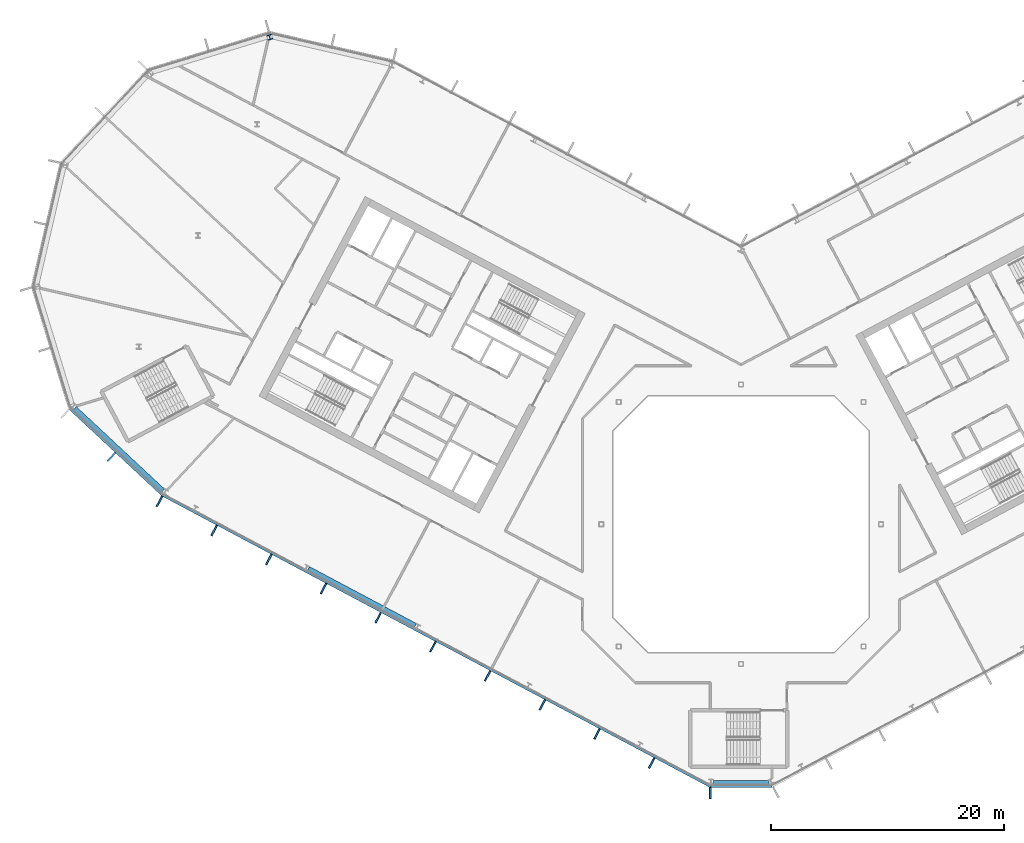
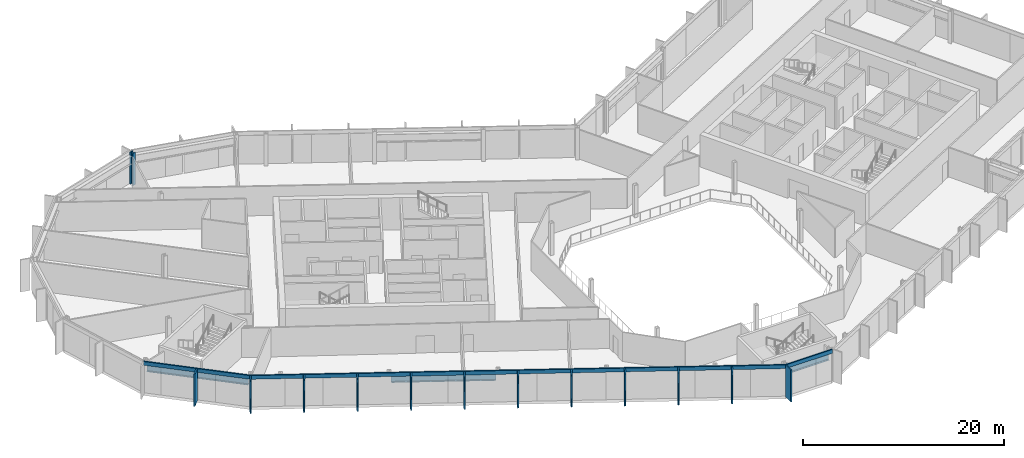
# One storey, part 8 of 26: 15 members, 3 beams, 1 column, 3 elements without a shape of their own.
"""IFC4 building model written with IfcOpenShell, lengths in metres."""

from ifc_helpers import new_model, si_unit, direction, frame, origin, origin_2d, place, context, subcontext, project, spatial, rectangle, i_section, extrude, material, layer, layer_set, material_profile, profile_set, type_object, element, aggregate, save


model = new_model("IFC4")

# Units and contexts
model_context = context("Model", 3, precision=1e-05, world=origin(), true_north=direction((0.0, 1.0)))
body_context = subcontext(model_context, "Body", "Model", "MODEL_VIEW")
ifc_project = project(units=[si_unit("LENGTHUNIT", "METRE"), si_unit("AREAUNIT", "SQUARE_METRE"), si_unit("VOLUMEUNIT", "CUBIC_METRE"), si_unit("PLANEANGLEUNIT", "RADIAN"), si_unit("MASSUNIT", "GRAM", prefix="KILO")], contexts=[model_context])

# Site, building, storey
site_placement = place(None, origin())
site = spatial("IfcSite", under=ifc_project, at=site_placement, CompositionType="ELEMENT")
building_placement = place(site_placement, origin())
building = spatial("IfcBuilding", under=site, at=building_placement, Name="Cormorant Relay Tower", CompositionType="ELEMENT")
storey_placement = place(building_placement, frame((0.0, 0.0, 220.800048828125)))
storey = spatial("IfcBuildingStorey", under=building, at=storey_placement, Name="L48", CompositionType="ELEMENT", Elevation=220.800048828125)

# Column
ifc_material_1 = material(Name="Steel ASTM A992 (Fy 345 MPa)", Category="steel")
ifc_material_profile_1 = material_profile(ifc_material_1, i_section(OverallWidth=0.41162109375, OverallDepth=0.434326171875, WebThickness=0.035888671875, FlangeThickness=0.057373046875, FilletRadius=0.01513671875, at=origin_2d()), Name="W360x463")
ifc_profile_set_1 = profile_set([ifc_material_profile_1], Name="Steel ASTM A992 (Fy 345 MPa)")
column_type = type_object("IfcColumnType", Name="Column W360x463", PredefinedType="COLUMN", material=ifc_profile_set_1)
column_placement = place(storey_placement, frame((-40.455078125, 41.803955078125, 0.0), z_axis=(0.0, 0.0, 1.0), x_axis=(-0.956304755963, -0.292371704723, 0.0)))
element("IfcColumn", 1, at=column_placement, inside=storey, type_object=column_type, Name="Column L48-045", PredefinedType="COLUMN", context=body_context, shape_type="SweptSolid", body=[
    extrude(i_section(OverallWidth=0.41162109375, OverallDepth=0.434326171875, WebThickness=0.035888671875, FlangeThickness=0.057373046875, FilletRadius=0.01513671875, at=origin_2d()), origin(), (0.0, 0.0, 1.0), 3.89990234375),
])

# Curtain wall, member
ifc_material_2 = material(Name="Aluminium 6063-T6 anodised bronze", Category="aluminium")
ifc_layer = layer(ifc_material_2, 0.199951171875)
ifc_layer_set = layer_set([ifc_layer], Name="CW1 unitised bronze curtain wall with vertical fins")
curtain_wall_type = type_object("IfcCurtainWallType", Name="CW1 unitised bronze curtain wall with vertical fins", PredefinedType="NOTDEFINED", material=ifc_layer_set)
curtain_wall_1_placement = place(storey_placement, origin())
curtain_wall_1 = element("IfcCurtainWall", 2, at=curtain_wall_1_placement, inside=storey, type_object=curtain_wall_type, Name="CW1 curtain wall 1", PredefinedType="NOTDEFINED")
ifc_material_3 = material(Name="Aluminium 6063-T6 anodised bronze", Category="aluminium")
ifc_material_profile_2 = material_profile(ifc_material_3, rectangle(XDim=0.14990234375, YDim=1.0, at=origin_2d()), Name="AL 150x1000")
ifc_profile_set_2 = profile_set([ifc_material_profile_2], Name="Aluminium 6063-T6 anodised bronze")
member_type_1 = type_object("IfcMemberType", Name="CW1 bronze fin mullion 150 x 1000", PredefinedType="MULLION", material=ifc_profile_set_2)
member_1_placement = place(storey_placement, frame((-2.648681640625, -23.07568359375, 0.0), z_axis=(0.0, 0.0, 1.0), x_axis=(1.0, 0.0, 0.0)))
member_1 = element("IfcMember", 3, at=member_1_placement, type_object=member_type_1, Name="CW1 fin 1.1", PredefinedType="MULLION", context=body_context, shape_type="SweptSolid", body=[
    extrude(rectangle(XDim=0.14990234375, YDim=1.0, at=origin_2d()), origin(), (0.0, 0.0, 1.0), 3.89990234375),
])

curtain_wall_2_placement = place(storey_placement, origin())
curtain_wall_2 = element("IfcCurtainWall", 4, at=curtain_wall_2_placement, inside=storey, type_object=curtain_wall_type, Name="CW1 curtain wall 15", PredefinedType="NOTDEFINED")
member_2_placement = place(storey_placement, frame((-54.0439453125, 5.779296875, 0.0), z_axis=(0.0, 0.0, 1.0), x_axis=(0.731353701619, -0.681998360062, 0.0)))
member_2 = element("IfcMember", 5, at=member_2_placement, type_object=member_type_1, Name="CW1 fin 15.2", PredefinedType="MULLION", context=body_context, shape_type="SweptSolid", body=[
    extrude(rectangle(XDim=0.14990234375, YDim=1.0, at=origin_2d()), origin(), (0.0, 0.0, 1.0), 3.89990234375),
])

# Curtain wall, members
curtain_wall_3_placement = place(storey_placement, origin())
curtain_wall_3 = element("IfcCurtainWall", 6, at=curtain_wall_3_placement, inside=storey, type_object=curtain_wall_type, Name="CW1 curtain wall 16", PredefinedType="NOTDEFINED")
member_3_placement = place(storey_placement, frame((-49.920166015625, 1.96630859375, 0.0), z_axis=(0.0, 0.0, 1.0), x_axis=(0.882947592859, -0.469471562786, 0.0)))
member_3 = element("IfcMember", 7, at=member_3_placement, type_object=member_type_1, Name="CW1 fin 16.1", PredefinedType="MULLION", context=body_context, shape_type="SweptSolid", body=[
    extrude(rectangle(XDim=0.14990234375, YDim=1.0, at=origin_2d()), origin(), (0.0, 0.0, 1.0), 3.89990234375),
])
member_4_placement = place(storey_placement, frame((-45.225830078125, -0.52978515625, 0.0), z_axis=(0.0, 0.0, 1.0), x_axis=(0.882947592859, -0.469471562786, 0.0)))
member_4 = element("IfcMember", 8, at=member_4_placement, type_object=member_type_1, Name="CW1 fin 16.2", PredefinedType="MULLION", context=body_context, shape_type="SweptSolid", body=[
    extrude(rectangle(XDim=0.14990234375, YDim=1.0, at=origin_2d()), origin(), (0.0, 0.0, 1.0), 3.89990234375),
])
member_5_placement = place(storey_placement, frame((-40.531494140625, -3.025634765625, 0.0), z_axis=(0.0, 0.0, 1.0), x_axis=(0.882947592859, -0.469471562786, 0.0)))
member_5 = element("IfcMember", 9, at=member_5_placement, type_object=member_type_1, Name="CW1 fin 16.3", PredefinedType="MULLION", context=body_context, shape_type="SweptSolid", body=[
    extrude(rectangle(XDim=0.14990234375, YDim=1.0, at=origin_2d()), origin(), (0.0, 0.0, 1.0), 3.89990234375),
])
member_6_placement = place(storey_placement, frame((-35.83740234375, -5.521728515625, 0.0), z_axis=(0.0, 0.0, 1.0), x_axis=(0.882947592859, -0.469471562786, 0.0)))
member_6 = element("IfcMember", 10, at=member_6_placement, type_object=member_type_1, Name="CW1 fin 16.4", PredefinedType="MULLION", context=body_context, shape_type="SweptSolid", body=[
    extrude(rectangle(XDim=0.14990234375, YDim=1.0, at=origin_2d()), origin(), (0.0, 0.0, 1.0), 3.89990234375),
])
member_7_placement = place(storey_placement, frame((-31.14306640625, -8.017578125, 0.0), z_axis=(0.0, 0.0, 1.0), x_axis=(0.882947592859, -0.469471562786, 0.0)))
member_7 = element("IfcMember", 11, at=member_7_placement, type_object=member_type_1, Name="CW1 fin 16.5", PredefinedType="MULLION", context=body_context, shape_type="SweptSolid", body=[
    extrude(rectangle(XDim=0.14990234375, YDim=1.0, at=origin_2d()), origin(), (0.0, 0.0, 1.0), 3.89990234375),
])
member_8_placement = place(storey_placement, frame((-26.44873046875, -10.513671875, 0.0), z_axis=(0.0, 0.0, 1.0), x_axis=(0.882947592859, -0.469471562786, 0.0)))
member_8 = element("IfcMember", 12, at=member_8_placement, type_object=member_type_1, Name="CW1 fin 16.6", PredefinedType="MULLION", context=body_context, shape_type="SweptSolid", body=[
    extrude(rectangle(XDim=0.14990234375, YDim=1.0, at=origin_2d()), origin(), (0.0, 0.0, 1.0), 3.89990234375),
])
member_9_placement = place(storey_placement, frame((-21.754638671875, -13.009765625, 0.0), z_axis=(0.0, 0.0, 1.0), x_axis=(0.882947592859, -0.469471562786, 0.0)))
member_9 = element("IfcMember", 13, at=member_9_placement, type_object=member_type_1, Name="CW1 fin 16.7", PredefinedType="MULLION", context=body_context, shape_type="SweptSolid", body=[
    extrude(rectangle(XDim=0.14990234375, YDim=1.0, at=origin_2d()), origin(), (0.0, 0.0, 1.0), 3.89990234375),
])
member_10_placement = place(storey_placement, frame((-17.060302734375, -15.505615234375, 0.0), z_axis=(0.0, 0.0, 1.0), x_axis=(0.882947592859, -0.469471562786, 0.0)))
member_10 = element("IfcMember", 14, at=member_10_placement, type_object=member_type_1, Name="CW1 fin 16.8", PredefinedType="MULLION", context=body_context, shape_type="SweptSolid", body=[
    extrude(rectangle(XDim=0.14990234375, YDim=1.0, at=origin_2d()), origin(), (0.0, 0.0, 1.0), 3.89990234375),
])
member_11_placement = place(storey_placement, frame((-12.365966796875, -18.001708984375, 0.0), z_axis=(0.0, 0.0, 1.0), x_axis=(0.882947592859, -0.469471562786, 0.0)))
member_11 = element("IfcMember", 15, at=member_11_placement, type_object=member_type_1, Name="CW1 fin 16.9", PredefinedType="MULLION", context=body_context, shape_type="SweptSolid", body=[
    extrude(rectangle(XDim=0.14990234375, YDim=1.0, at=origin_2d()), origin(), (0.0, 0.0, 1.0), 3.89990234375),
])
member_12_placement = place(storey_placement, frame((-7.671630859375, -20.49755859375, 0.0), z_axis=(0.0, 0.0, 1.0), x_axis=(0.882947592859, -0.469471562786, 0.0)))
member_12 = element("IfcMember", 16, at=member_12_placement, type_object=member_type_1, Name="CW1 fin 16.10", PredefinedType="MULLION", context=body_context, shape_type="SweptSolid", body=[
    extrude(rectangle(XDim=0.14990234375, YDim=1.0, at=origin_2d()), origin(), (0.0, 0.0, 1.0), 3.89990234375),
])

# Member
ifc_material_4 = material(Name="Aluminium 6063-T6 anodised bronze", Category="aluminium")
ifc_material_profile_3 = material_profile(ifc_material_4, rectangle(XDim=0.159912109375, YDim=0.449951171875, at=origin_2d()), Name="AL 160x450")
ifc_profile_set_3 = profile_set([ifc_material_profile_3], Name="Aluminium 6063-T6 anodised bronze")
member_type_2 = type_object("IfcMemberType", Name="CW1 bronze transom 160 x 450", PredefinedType="USERDEFINED", material=ifc_profile_set_3)
member_13_placement = place(storey_placement, frame((-2.648681640625, -22.49560546875, 3.675048828125), z_axis=(1.0, 0.0, 0.0), x_axis=(0.0, 1.0, 0.0)))
member_13 = element("IfcMember", 17, at=member_13_placement, type_object=member_type_2, Name="CW1 transom 1", ObjectType="TRANSOM", PredefinedType="USERDEFINED", context=body_context, shape_type="SweptSolid", body=[
    extrude(rectangle(XDim=0.159912109375, YDim=0.449951171875, at=origin_2d()), origin(), (0.0, 0.0, 1.0), 5.29736328125),
])

aggregate(curtain_wall_1, [member_1, member_13])

member_14_placement = place(storey_placement, frame((-57.62353515625, 9.91015625, 3.675048828125), z_axis=(0.731358420696, -0.681993299437, 0.0), x_axis=(0.681993299437, 0.731358420696, 0.0)))
member_14 = element("IfcMember", 18, at=member_14_placement, type_object=member_type_2, Name="CW1 transom 15", ObjectType="TRANSOM", PredefinedType="USERDEFINED", context=body_context, shape_type="SweptSolid", body=[
    extrude(rectangle(XDim=0.159912109375, YDim=0.449951171875, at=origin_2d()), origin(), (0.0, 0.0, 1.0), 10.870361328125),
])

aggregate(curtain_wall_2, [member_2, member_14])

member_15_placement = place(storey_placement, frame((-49.64794921875, 2.478515625, 3.675048828125), z_axis=(0.882947642542, -0.469471469346, 0.0), x_axis=(0.469471469346, 0.882947642542, 0.0)))
member_15 = element("IfcMember", 19, at=member_15_placement, type_object=member_type_2, Name="CW1 transom 16", ObjectType="TRANSOM", PredefinedType="USERDEFINED", context=body_context, shape_type="SweptSolid", body=[
    extrude(rectangle(XDim=0.159912109375, YDim=0.449951171875, at=origin_2d()), origin(), (0.0, 0.0, 1.0), 53.166015625),
])

aggregate(curtain_wall_3, [member_3, member_4, member_5, member_6, member_7, member_8, member_9, member_10, member_11, member_12, member_15])

# Beams
ifc_material_5 = material(Name="Steel ASTM A992 (Fy 345 MPa)", Category="steel")
ifc_material_profile_4 = material_profile(ifc_material_5, i_section(OverallWidth=0.4013671875, OverallDepth=0.990478515625, WebThickness=0.0166015625, FlangeThickness=0.031005859375, FilletRadius=0.030029296875, at=origin_2d()), Name="W1000x320")
ifc_profile_set_4 = profile_set([ifc_material_profile_4], Name="Steel ASTM A992 (Fy 345 MPa)")
beam_type = type_object("IfcBeamType", Name="Spandrel W1000x320", PredefinedType="SPANDREL", material=ifc_profile_set_4)
beam_1_placement = place(storey_placement, frame((-2.3701171875, -22.1748046875, 3.044677734375), z_axis=(1.0, 0.0, 0.0), x_axis=(0.0, 1.0, 0.0)))
element("IfcBeam", 20, at=beam_1_placement, inside=storey, type_object=beam_type, Name="Spandrel beam L48-001", PredefinedType="SPANDREL", context=body_context, shape_type="SweptSolid", body=[
    extrude(i_section(OverallWidth=0.4013671875, OverallDepth=0.990478515625, WebThickness=0.0166015625, FlangeThickness=0.031005859375, FilletRadius=0.030029296875, at=origin_2d()), origin(), (0.0, 0.0, 1.0), 4.761474609375),
])
beam_2_placement = place(storey_placement, frame((-57.19580078125, 9.94970703125, 3.044677734375), z_axis=(0.731351589689, -0.682000624824, 0.0), x_axis=(0.682000624824, 0.731351589689, 0.0)))
element("IfcBeam", 21, at=beam_2_placement, inside=storey, type_object=beam_type, Name="Spandrel beam L48-015", PredefinedType="SPANDREL", context=body_context, shape_type="SweptSolid", body=[
    extrude(i_section(OverallWidth=0.4013671875, OverallDepth=0.990478515625, WebThickness=0.0166015625, FlangeThickness=0.031005859375, FilletRadius=0.030029296875, at=origin_2d()), origin(), (0.0, 0.0, 1.0), 10.354248046875),
])
beam_3_placement = place(storey_placement, frame((-37.134033203125, -3.812255859375, 3.044677734375), z_axis=(0.882949648898, -0.469467695918, 0.0), x_axis=(0.469467695918, 0.882949648898, 0.0)))
element("IfcBeam", 22, at=beam_3_placement, inside=storey, type_object=beam_type, Name="Spandrel beam L48-016", PredefinedType="SPANDREL", context=body_context, shape_type="SweptSolid", body=[
    extrude(i_section(OverallWidth=0.4013671875, OverallDepth=0.990478515625, WebThickness=0.0166015625, FlangeThickness=0.031005859375, FilletRadius=0.030029296875, at=origin_2d()), origin(), (0.0, 0.0, 1.0), 10.39599609375),
])

save(model, "model.ifc")
